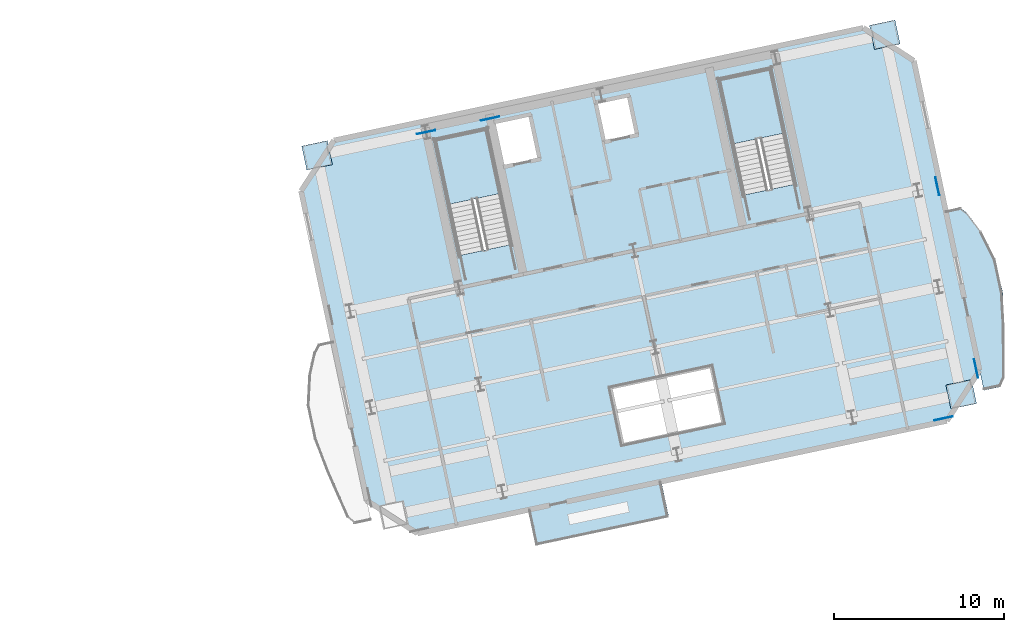
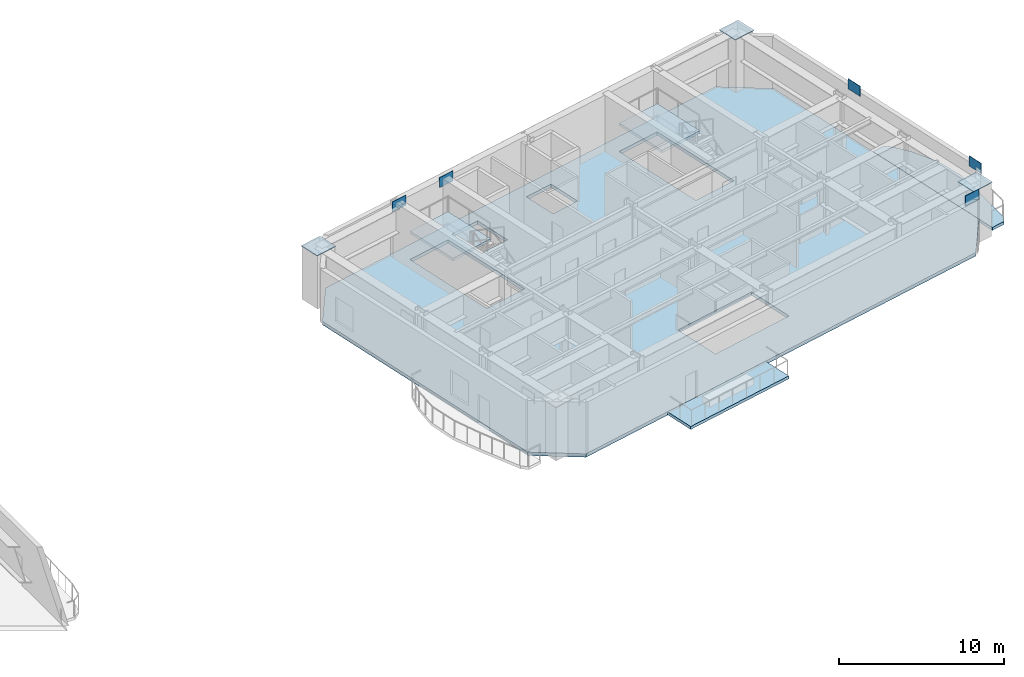
# One storey, part 6 of 15: 8 plates, 5 slabs, 2 elements without a shape of their own.
"""IFC4 building model written with IfcOpenShell, lengths in metres."""

from ifc_helpers import new_model, si_unit, direction, frame, origin, origin_2d, place, context, subcontext, project, spatial, polyline, rectangle, outline, extrude, material, layer, layer_set, type_object, element, aggregate, save


model = new_model("IFC4")

# Units and contexts
model_context = context("Model", 3, precision=1e-05, world=origin(), true_north=direction((0.0, 1.0)))
body_context = subcontext(model_context, "Body", "Model", "MODEL_VIEW")
ifc_project = project(units=[si_unit("LENGTHUNIT", "METRE"), si_unit("AREAUNIT", "SQUARE_METRE"), si_unit("VOLUMEUNIT", "CUBIC_METRE"), si_unit("PLANEANGLEUNIT", "RADIAN"), si_unit("MASSUNIT", "GRAM", prefix="KILO")], contexts=[model_context])

# Site, building, storey
site_placement = place(None, origin())
site = spatial("IfcSite", under=ifc_project, at=site_placement, CompositionType="ELEMENT")
building_placement = place(site_placement, origin())
building = spatial("IfcBuilding", under=site, at=building_placement, Name="Haevon Station Towers", CompositionType="ELEMENT")
storey_placement = place(building_placement, frame((0.0, 0.0, 129.60009765625)))
storey = spatial("IfcBuildingStorey", under=building, at=storey_placement, Name="L35", CompositionType="ELEMENT", Elevation=129.60009765625)

# Plates
ifc_material_1 = material(Name="PL-FLG1", Category="steel")
ifc_layer_1 = layer(ifc_material_1, 0.044921875)
ifc_layer_set_1 = layer_set([ifc_layer_1], Name="PL-FLG1")
plate_type_1 = type_object("IfcPlateType", Name="PL-FLG1", PredefinedType="USERDEFINED", material=ifc_layer_set_1)
for number, where, z_axis, x_axis, name in (
    (1, (90.401611328125, 45.226318359375, 3.949951171875), (0.0, 0.0, 1.0), (0.978147600734, 0.207911690818, 0.0), "PL-CAP-T2-L35-01-04"),
    (2, (128.247314453125, 31.18798828125, 3.949951171875), (0.0, 0.0, 1.0), (0.978147600734, 0.207911690818, 0.0), "PL-CAP-T2-L35-05-01"),
    (3, (123.75634765625, 52.316162109375, 3.949951171875), (0.0, 0.0, 1.0), (0.978147600734, 0.207911690818, 0.0), "PL-CAP-T2-L35-05-04"),
):
    element("IfcPlate", number, at=place(storey_placement, frame(where, z_axis=z_axis, x_axis=x_axis)), inside=storey, type_object=plate_type_1, Name=name, ObjectType="FLANGE_PLATE", PredefinedType="USERDEFINED", context=body_context, shape_type="SweptSolid", body=[
        extrude(rectangle(XDim=1.5400390625, YDim=1.43994140625, at=origin_2d()), origin(), (0.0, 0.0, 1.0), 0.0400390625),
    ])
ifc_material_2 = material(Name="PL-SPL1", Category="steel")
ifc_layer_2 = layer(ifc_material_2, 0.031982421875)
ifc_layer_set_2 = layer_set([ifc_layer_2], Name="PL-SPL1")
plate_type_2 = type_object("IfcPlateType", Name="PL-SPL1", PredefinedType="USERDEFINED", material=ifc_layer_set_2)
for number, where, z_axis, x_axis, name in (
    (4, (127.218994140625, 29.7734375, 3.6748046875), (0.0, 0.0, 1.0), (0.978147600734, 0.207911690818, 0.0), "PL-T2SPL-T04-S-4"),
    (5, (96.808349609375, 46.588134765625, 3.6748046875), (0.0, 0.0, 1.0), (0.978147600734, 0.207911690818, 0.0), "PL-T2SPL-T04-N-3"),
    (6, (100.57421875, 47.388671875, 3.6748046875), (0.0, 0.0, 1.0), (0.978147600734, 0.207911690818, 0.0), "PL-T2SPL-T04-N-4"),
    (7, (129.121337890625, 32.702880859375, 3.6748046875), (0.0, 0.0, 1.0), (-0.207911690818, 0.978147600734, 0.0), "PL-T2SPL-T04-E-3"),
    (8, (126.8447265625, 43.41357421875, 3.6748046875), (0.0, 0.0, 1.0), (-0.207911690818, 0.978147600734, 0.0), "PL-T2SPL-T04-E-4"),
):
    element("IfcPlate", number, at=place(storey_placement, frame(where, z_axis=z_axis, x_axis=x_axis)), inside=storey, type_object=plate_type_2, Name=name, ObjectType="SPLICE_PLATE", PredefinedType="USERDEFINED", context=body_context, shape_type="SweptSolid", body=[
        extrude(rectangle(XDim=1.10009765625, YDim=0.031982421875, at=origin_2d()), origin(), (0.0, 0.0, 1.0), 0.75),
    ])

# Slabs
ifc_material_3 = material(Name="Concrete C40/50", Category="concrete")
ifc_layer_3 = layer(ifc_material_3, 0.219970703125)
ifc_layer_set_3 = layer_set([ifc_layer_3], Name="Concrete C40/50")
slab_type_1 = type_object("IfcSlabType", Name="SL-BALC220", PredefinedType="FLOOR", material=ifc_layer_set_3)
slab_1_placement = place(storey_placement, frame((0.0, 0.0, -0.22021484375)))
element("IfcSlab", 9, at=slab_1_placement, inside=storey, type_object=slab_type_1, Name="Tower 2 L35 East SCALLOPED BALCONY", PredefinedType="FLOOR", context=body_context, shape_type="SweptSolid", body=[
    extrude(outline(polyline([(129.5830078125, 31.4208984375), (130.51953125, 31.619873046875), (130.755126953125, 32.09033203125), (130.75341796875, 33.28662109375), (130.7626953125, 35.07958984375), (130.68994140625, 37.1767578125), (130.21337890625, 39.188232421875), (129.37158203125, 40.80029296875), (128.594482421875, 41.831787109375), (128.1689453125, 42.16162109375), (127.337646484375, 41.98486328125), (129.5830078125, 31.4208984375)])), origin(), (0.0, 0.0, 1.0), 0.22021484375),
])
slab_2_placement = place(storey_placement, frame((0.0, 0.0, -0.22021484375)))
element("IfcSlab", 10, at=slab_2_placement, inside=storey, type_object=slab_type_1, Name="Tower 2 L35 Planted Balcony Band", PredefinedType="FLOOR", context=body_context, shape_type="SweptSolid", body=[
    extrude(outline(polyline([(103.2392578125, 22.345458984375), (111.064453125, 24.0087890625), (110.62890625, 26.057861328125), (102.8037109375, 24.39453125), (103.2392578125, 22.345458984375)])), origin(), (0.0, 0.0, 1.0), 0.22021484375),
])

# Stair, slab
stair_type = type_object("IfcStairType", Name="STR-DL1450", PredefinedType="USERDEFINED", material=ifc_material_3)
stair_1_placement = place(storey_placement, origin())
stair_1 = element("IfcStair", 11, at=stair_1_placement, inside=storey, type_object=stair_type, Name="L35 Escape Stair ST3", ObjectType="TWO_RETURN_STAIR", PredefinedType="USERDEFINED")
ifc_layer_4 = layer(ifc_material_3, 0.199951171875)
ifc_layer_set_4 = layer_set([ifc_layer_4], Name="Concrete C40/50")
slab_type_2 = type_object("IfcSlabType", Name="SL-LND200", PredefinedType="LANDING", material=ifc_layer_set_4)
slab_3_placement = place(storey_placement, frame((0.0, 0.0, 1.89990234375)))
slab_3 = element("IfcSlab", 12, at=slab_3_placement, type_object=slab_type_2, Name="L35 ST3 Half Landing 1", PredefinedType="LANDING", context=body_context, shape_type="SweptSolid", body=[
    extrude(outline(polyline([(101.171630859375, 42.99072265625), (100.36572265625, 46.781982421875), (97.33349609375, 46.137451171875), (98.139404296875, 42.34619140625), (101.171630859375, 42.99072265625)])), origin(), (0.0, 0.0, 1.0), 0.199951171875),
])
aggregate(stair_1, [slab_3])

stair_2_placement = place(storey_placement, origin())
stair_2 = element("IfcStair", 13, at=stair_2_placement, inside=storey, type_object=stair_type, Name="L35 Escape Stair ST4", ObjectType="TWO_RETURN_STAIR", PredefinedType="USERDEFINED")
slab_4_placement = place(storey_placement, frame((0.0, 0.0, 1.89990234375)))
slab_4 = element("IfcSlab", 14, at=slab_4_placement, type_object=slab_type_2, Name="L35 ST4 Half Landing 1", PredefinedType="LANDING", context=body_context, shape_type="SweptSolid", body=[
    extrude(outline(polyline([(117.85888671875, 46.53759765625), (117.052978515625, 50.328857421875), (114.020751953125, 49.684326171875), (114.82666015625, 45.89306640625), (117.85888671875, 46.53759765625)])), origin(), (0.0, 0.0, 1.0), 0.199951171875),
])
aggregate(stair_2, [slab_4])

# Slab
ifc_layer_5 = layer(ifc_material_3, 0.25)
ifc_layer_set_5 = layer_set([ifc_layer_5], Name="Concrete C40/50")
slab_type_3 = type_object("IfcSlabType", Name="SL-TW250", PredefinedType="FLOOR", material=ifc_layer_set_5)
slab_5_placement = place(storey_placement, frame((0.0, 0.0, -0.25)))
element("IfcSlab", 15, at=slab_5_placement, inside=storey, type_object=slab_type_3, Name="SL-T2-L35", PredefinedType="FLOOR", context=body_context, shape_type="SweptSolid", body=[
    extrude(outline(polyline([(96.2978515625, 23.016845703125), (127.403076171875, 29.62841796875), (129.32861328125, 32.593505859375), (125.46142578125, 50.787109375), (122.496337890625, 52.712646484375), (91.391357421875, 46.10107421875), (89.465576171875, 43.135986328125), (93.332763671875, 24.9423828125), (96.2978515625, 23.016845703125)]), holes=[polyline([(101.8095703125, 39.98974609375), (100.36572265625, 46.781982421875), (97.33349609375, 46.137451171875), (98.77734375, 39.34521484375), (101.8095703125, 39.98974609375)]), polyline([(118.496826171875, 43.53662109375), (117.052978515625, 50.328857421875), (114.020751953125, 49.684326171875), (115.464599609375, 42.89208984375), (118.496826171875, 43.53662109375)]), polyline([(101.43212890625, 44.554931640625), (103.486328125, 44.99169921875), (102.9248046875, 47.632568359375), (100.870849609375, 47.196044921875), (101.43212890625, 44.554931640625)]), polyline([(107.259521484375, 45.998046875), (109.2158203125, 46.413818359375), (108.716796875, 48.761474609375), (106.760498046875, 48.345703125), (107.259521484375, 45.998046875)]), polyline([(108.37548828125, 28.2421875), (114.244384765625, 29.489501953125), (113.537353515625, 32.815185546875), (107.668701171875, 31.56787109375), (108.37548828125, 28.2421875)])]), origin(), (0.0, 0.0, 1.0), 0.25),
])

save(model, "model.ifc")
